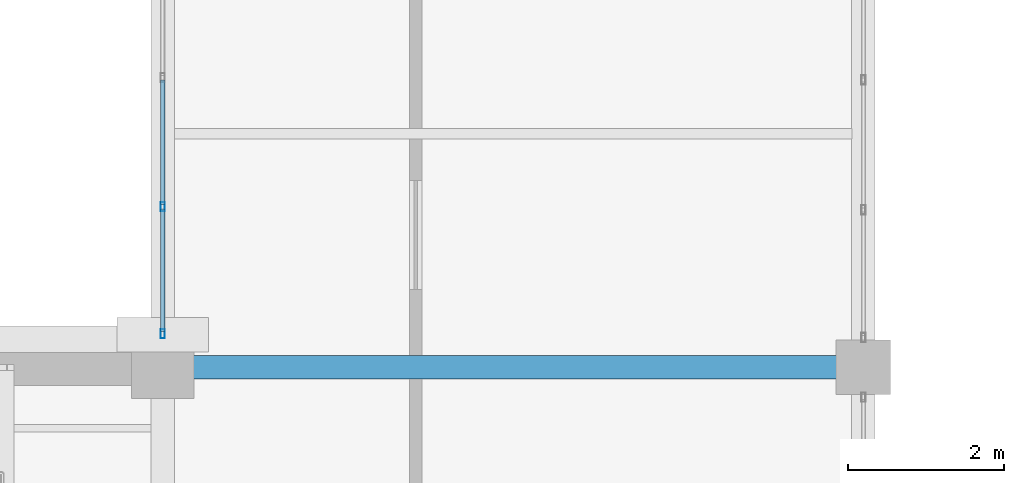
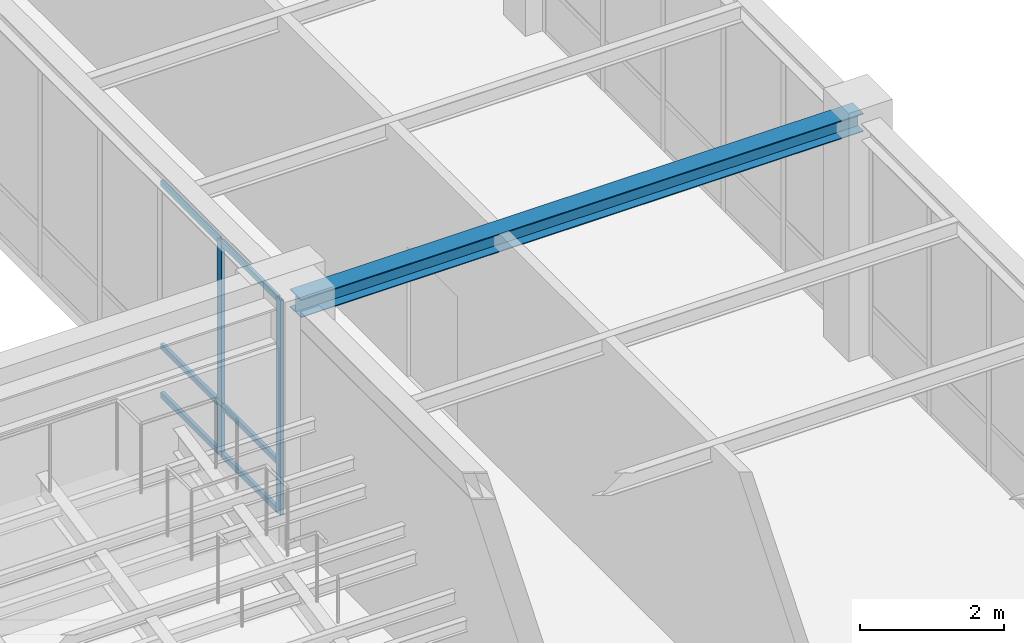
# One storey, part 27 of 130: 8 members, 1 beam, 1 element without a shape of its own.
"""IFC4 building model written with IfcOpenShell, lengths in metres."""

import ifcopenshell
import ifcopenshell.guid

model = None  # the IFC model being written
_history = None  # IfcOwnerHistory: only IFC2X3 demands one
_inside = {}  # id of a spatial element -> (the spatial element, [elements in it])
_under = {}  # id of a project, library or spatial element -> (it, [spatial elements below it])
_declared = {}  # id of a project -> (the project, [libraries it declares])
_typed = {}  # id of a type object -> (the type object, [elements of that type])
_made_of = {}  # id of a material, layer set ... -> (it, [elements and type objects made of it])


def new_model(schema):
    """Start an empty IFC model of exactly this schema.

    Asked for "IFC4X3", IfcOpenShell would pick the latest addendum, in which some entities
    have other attributes; the version numbers below select the first issue.
    IFC2X3 requires an IfcOwnerHistory on every rooted entity: one is made here for all.
    """
    global model, _history
    if schema == "IFC4X3":
        model = ifcopenshell.file(schema_version=(4, 3, 0, 0))
    else:
        model = ifcopenshell.file(schema=schema)
    _inside.clear()
    _under.clear()
    _declared.clear()
    _typed.clear()
    _made_of.clear()
    _history = None
    if model.schema == "IFC2X3":
        org = make("IfcOrganization", Name="unknown")
        user = make(
            "IfcPersonAndOrganization",
            ThePerson=make("IfcPerson", FamilyName="unknown"),
            TheOrganization=org,
        )
        app = make(
            "IfcApplication",
            ApplicationDeveloper=org,
            Version="unknown",
            ApplicationFullName="unknown",
            ApplicationIdentifier="unknown",
        )
        _history = make(
            "IfcOwnerHistory",
            OwningUser=user,
            OwningApplication=app,
            ChangeAction="ADDED",
            CreationDate=0,
        )
    return model


def make(cls, **values):
    """One entity of the class cls with the attributes given. An attribute that is None is left unset."""
    return model.create_entity(
        cls, **{name: value for name, value in values.items() if value is not None}
    )


def rooted(cls, **values):
    """An entity with a GlobalId (a new one), such as an element, a storey or a relation."""
    return make(cls, GlobalId=ifcopenshell.guid.new(), OwnerHistory=_history, **values)


def si_unit(unit_type, name, prefix=None):
    """IfcSIUnit, for example si_unit("LENGTHUNIT", "METRE", prefix="MILLI")."""
    return make("IfcSIUnit", UnitType=unit_type, Prefix=prefix, Name=name)


def assignment(units):
    """IfcUnitAssignment: the units of a project."""
    return None if units is None else make("IfcUnitAssignment", Units=units)


def point(xyz):
    """IfcCartesianPoint."""
    return None if xyz is None else make("IfcCartesianPoint", Coordinates=xyz)


def direction(xyz):
    """IfcDirection."""
    return None if xyz is None else make("IfcDirection", DirectionRatios=xyz)


def frame(location, z_axis=None, x_axis=None):
    """IfcAxis2Placement3D, a coordinate frame: its origin and axes. An axis left out is left unset."""
    return make(
        "IfcAxis2Placement3D",
        Location=point(location),
        Axis=direction(z_axis),
        RefDirection=direction(x_axis),
    )


def frame_2d(location, x_axis=None):
    """IfcAxis2Placement2D, a coordinate frame in the plane: its origin and x axis."""
    return make(
        "IfcAxis2Placement2D", Location=point(location), RefDirection=direction(x_axis)
    )


def origin():
    """The frame at (0, 0, 0) with its axes left unset."""
    return frame((0.0, 0.0, 0.0))


def origin_2d():
    """The frame at (0, 0) in the plane with its x axis left unset."""
    return frame_2d((0.0, 0.0))


def place(relative_to, where):
    """IfcLocalPlacement: puts the frame where relative to a parent placement (None: the world)."""
    return make(
        "IfcLocalPlacement", PlacementRelTo=relative_to, RelativePlacement=where
    )


def context(
    kind, dimensions, precision=None, world=None, true_north=None, identifier=None
):
    """IfcGeometricRepresentationContext, for example the 3D "Model" context."""
    return make(
        "IfcGeometricRepresentationContext",
        ContextIdentifier=identifier,
        ContextType=kind,
        CoordinateSpaceDimension=dimensions,
        Precision=precision,
        WorldCoordinateSystem=world,
        TrueNorth=true_north,
    )


def subcontext(parent, identifier, kind, view, scale=None):
    """IfcGeometricRepresentationSubContext, for example "Body" below "Model"."""
    return make(
        "IfcGeometricRepresentationSubContext",
        ContextIdentifier=identifier,
        ContextType=kind,
        ParentContext=parent,
        TargetScale=scale,
        TargetView=view,
    )


def project(units=None, contexts=None):
    """IfcProject with its units and contexts."""
    return rooted(
        "IfcProject",
        Name="project",
        RepresentationContexts=contexts,
        UnitsInContext=assignment(units),
    )


def spatial(cls, under=None, at=None, **own):
    """A site, building, storey or space (cls), placed at a placement, below another one or the project."""
    s = rooted(cls, ObjectPlacement=at, **own)
    if under is not None:
        _under.setdefault(under.id(), (under, []))[1].append(s)
    return s


def profile(cls, at=None, kind="AREA", **sizes):
    """A parametric profile (cls). Its sizes go by their IFC names, for example OverallWidth=200.0."""
    return make(cls, ProfileType=kind, Position=at, **sizes)


def hollow_rectangle(**sizes):
    """IfcRectangleHollowProfileDef."""
    return profile("IfcRectangleHollowProfileDef", **sizes)


def i_section(**sizes):
    """IfcIShapeProfileDef."""
    return profile("IfcIShapeProfileDef", **sizes)


def extrude(swept, where, along, depth):
    """IfcExtrudedAreaSolid: the profile swept, set in the frame where, extruded along a direction by depth."""
    return make(
        "IfcExtrudedAreaSolid",
        SweptArea=swept,
        Position=where,
        ExtrudedDirection=direction(along),
        Depth=depth,
    )


def shape(context_of_items, identifier, shape_type, items):
    """IfcShapeRepresentation: the items that make up one representation, for example the "Body"."""
    return make(
        "IfcShapeRepresentation",
        ContextOfItems=context_of_items,
        RepresentationIdentifier=identifier,
        RepresentationType=shape_type,
        Items=items,
    )


def material(Name=None, Category=None):
    """IfcMaterial."""
    return make("IfcMaterial", Name=Name, Category=Category)


def material_profile(
    of_material, cross_section, Name=None, Category=None, Priority=None
):
    """IfcMaterialProfile: a cross section and its material."""
    return make(
        "IfcMaterialProfile",
        Name=Name,
        Material=of_material,
        Profile=cross_section,
        Priority=Priority,
        Category=Category,
    )


def profile_set(profiles, Name=None, composite=None):
    """IfcMaterialProfileSet."""
    return make(
        "IfcMaterialProfileSet",
        Name=Name,
        MaterialProfiles=profiles,
        CompositeProfile=composite,
    )


def made_of(thing, what):
    """Note that an element or type object is made of a material, layer set ...; save() writes the relation."""
    if what is not None:
        _made_of.setdefault(what.id(), (what, []))[1].append(thing)
    return thing


def type_object(cls, material=None, **own):
    """A type object (cls), such as IfcWallType, which elements share."""
    return made_of(rooted(cls, **own), material)


def element(
    cls,
    number,
    at=None,
    inside=None,
    cuts=None,
    type_object=None,
    material=None,
    context=None,
    identifier="Body",
    shape_type=None,
    held_by="IfcProductDefinitionShape",
    body=None,
    shapes=None,
    **own,
):
    """One element of the class cls, such as IfcWall. Its Tag is "e" and its number.

    at: its placement. inside: the storey or other place that contains it. cuts: it is an
    opening in that element (IfcRelVoidsElement). A single representation is given by context,
    identifier, shape_type and body (its items); several are given by shapes. held_by: the class
    of the entity that holds the representations. save() writes the other relations.
    """
    e = rooted(cls, Tag="e%d" % number, ObjectPlacement=at, **own)
    if body is not None:
        shapes = [shape(context, identifier, shape_type, body)]
    if shapes is not None:
        e.Representation = make(held_by, Representations=shapes)
    if inside is not None:
        _inside.setdefault(inside.id(), (inside, []))[1].append(e)
    if cuts is not None:
        rooted(
            "IfcRelVoidsElement", RelatingBuildingElement=cuts, RelatedOpeningElement=e
        )
    if type_object is not None:
        _typed.setdefault(type_object.id(), (type_object, []))[1].append(e)
    return made_of(e, material)


def aggregate(whole, parts):
    """IfcRelAggregates: a whole, such as a stair, and the parts it consists of."""
    return rooted("IfcRelAggregates", RelatingObject=whole, RelatedObjects=parts)


def save(model, path):
    """Write the relations noted so far, then the file.

    IfcRelAggregates (storeys below a building ...), IfcRelContainedInSpatialStructure (elements
    in a storey), IfcRelDefinesByType, IfcRelAssociatesMaterial and IfcRelDeclares: one each for
    every whole, place, type object, material and project.
    """
    for whole, parts in _under.values():
        aggregate(whole, parts)
    for where, things in _inside.values():
        rooted(
            "IfcRelContainedInSpatialStructure",
            RelatedElements=things,
            RelatingStructure=where,
        )
    for kind, things in _typed.values():
        rooted("IfcRelDefinesByType", RelatedObjects=things, RelatingType=kind)
    for what, things in _made_of.values():
        rooted("IfcRelAssociatesMaterial", RelatedObjects=things, RelatingMaterial=what)
    for by, libraries in _declared.values():
        rooted("IfcRelDeclares", RelatingContext=by, RelatedDefinitions=libraries)
    model.write(path)


model = new_model("IFC4")

# Units and contexts
model_context = context("Model", 3, precision=1e-05, world=origin(), true_north=direction((0.0, 1.0)))
body_context = subcontext(model_context, "Body", "Model", "MODEL_VIEW")
ifc_project = project(units=[si_unit("LENGTHUNIT", "METRE"), si_unit("AREAUNIT", "SQUARE_METRE"), si_unit("VOLUMEUNIT", "CUBIC_METRE"), si_unit("PLANEANGLEUNIT", "RADIAN"), si_unit("MASSUNIT", "GRAM", prefix="KILO")], contexts=[model_context])

# Site, building, storey
site_placement = place(None, origin())
site = spatial("IfcSite", under=ifc_project, at=site_placement, CompositionType="ELEMENT")
building_placement = place(site_placement, origin())
building = spatial("IfcBuilding", under=site, at=building_placement, Name="Lykobir Media Centre", CompositionType="ELEMENT")
storey_placement = place(building_placement, frame((0.0, 0.0, 19.199951171875)))
storey = spatial("IfcBuildingStorey", under=building, at=storey_placement, Name="L04", CompositionType="ELEMENT", Elevation=19.199951171875)

# Curtain wall, members
ifc_material_1 = material(Name="Anodized Aluminium AW-6060", Category="aluminium")
curtain_wall_type = type_object("IfcCurtainWallType", Name="CW-COURT-B", PredefinedType="NOTDEFINED", material=ifc_material_1)
curtain_wall_placement = place(storey_placement, origin())
curtain_wall = element("IfcCurtainWall", 1, at=curtain_wall_placement, inside=storey, type_object=curtain_wall_type, Name="Curtain wall CW2-L04-0167", PredefinedType="NOTDEFINED")
ifc_material_profile_1 = material_profile(ifc_material_1, hollow_rectangle(XDim=0.054931640625, YDim=0.1201171875, WallThickness=0.003173828125, at=origin_2d()), Name="ALU MULLION 55x120")
ifc_profile_set_1 = profile_set([ifc_material_profile_1], Name="Anodized Aluminium AW-6060")
member_type_1 = type_object("IfcMemberType", Name="CWM-120", PredefinedType="MULLION", material=ifc_profile_set_1)
member_1_placement = place(storey_placement, frame((27.0, 45.4326171875, 0.0), z_axis=(0.0, 0.0, 1.0), x_axis=(-1.0, 0.0, 0.0)))
member_1 = element("IfcMember", 2, at=member_1_placement, type_object=member_type_1, Name="CW2-L04-0167 mullion 1", PredefinedType="MULLION", context=body_context, shape_type="SweptSolid", body=[
    extrude(hollow_rectangle(XDim=0.054931640625, YDim=0.1201171875, WallThickness=0.003173828125, at=origin_2d()), origin(), (0.0, 0.0, 1.0), 3.635009765625),
])
member_2_placement = place(storey_placement, frame((27.0, 47.06298828125, 0.0), z_axis=(0.0, 0.0, 1.0), x_axis=(-1.0, 0.0, 0.0)))
member_2 = element("IfcMember", 3, at=member_2_placement, type_object=member_type_1, Name="CW2-L04-0167 mullion 2", PredefinedType="MULLION", context=body_context, shape_type="SweptSolid", body=[
    extrude(hollow_rectangle(XDim=0.054931640625, YDim=0.1201171875, WallThickness=0.003173828125, at=origin_2d()), origin(), (0.0, 0.0, 1.0), 3.635009765625),
])
ifc_material_profile_2 = material_profile(ifc_material_1, hollow_rectangle(XDim=0.054931640625, YDim=0.094970703125, WallThickness=0.0029296875, at=origin_2d()), Name="ALU TRANSOM 55x95")
ifc_profile_set_2 = profile_set([ifc_material_profile_2], Name="Anodized Aluminium AW-6060")
member_type_2 = type_object("IfcMemberType", Name="CWT-095", PredefinedType="USERDEFINED", material=ifc_profile_set_2)
member_3_placement = place(storey_placement, frame((27.0, 45.4599609375, 0.027587890625), z_axis=(0.0, 1.0, 0.0), x_axis=(-1.0, 0.0, 0.0)))
member_3 = element("IfcMember", 4, at=member_3_placement, type_object=member_type_2, Name="CW2-L04-0167 transom 1.1", ObjectType="TRANSOM", PredefinedType="USERDEFINED", context=body_context, shape_type="SweptSolid", body=[
    extrude(hollow_rectangle(XDim=0.054931640625, YDim=0.094970703125, WallThickness=0.0029296875, at=origin_2d()), origin(), (0.0, 0.0, 1.0), 1.575439453125),
])
member_4_placement = place(storey_placement, frame((27.0, 45.4599609375, 0.85009765625), z_axis=(0.0, 1.0, 0.0), x_axis=(-1.0, 0.0, 0.0)))
member_4 = element("IfcMember", 5, at=member_4_placement, type_object=member_type_2, Name="CW2-L04-0167 transom 1.2", ObjectType="TRANSOM", PredefinedType="USERDEFINED", context=body_context, shape_type="SweptSolid", body=[
    extrude(hollow_rectangle(XDim=0.054931640625, YDim=0.094970703125, WallThickness=0.0029296875, at=origin_2d()), origin(), (0.0, 0.0, 1.0), 1.575439453125),
])
member_5_placement = place(storey_placement, frame((27.0, 45.4599609375, 3.607666015625), z_axis=(0.0, 1.0, 0.0), x_axis=(-1.0, 0.0, 0.0)))
member_5 = element("IfcMember", 6, at=member_5_placement, type_object=member_type_2, Name="CW2-L04-0167 transom 1.3", ObjectType="TRANSOM", PredefinedType="USERDEFINED", context=body_context, shape_type="SweptSolid", body=[
    extrude(hollow_rectangle(XDim=0.054931640625, YDim=0.094970703125, WallThickness=0.0029296875, at=origin_2d()), origin(), (0.0, 0.0, 1.0), 1.575439453125),
])
member_6_placement = place(storey_placement, frame((27.0, 47.090576171875, 0.027587890625), z_axis=(0.0, 1.0, 0.0), x_axis=(-1.0, 0.0, 0.0)))
member_6 = element("IfcMember", 7, at=member_6_placement, type_object=member_type_2, Name="CW2-L04-0167 transom 2.1", ObjectType="TRANSOM", PredefinedType="USERDEFINED", context=body_context, shape_type="SweptSolid", body=[
    extrude(hollow_rectangle(XDim=0.054931640625, YDim=0.094970703125, WallThickness=0.0029296875, at=origin_2d()), origin(), (0.0, 0.0, 1.0), 1.60302734375),
])
member_7_placement = place(storey_placement, frame((27.0, 47.090576171875, 0.85009765625), z_axis=(0.0, 1.0, 0.0), x_axis=(-1.0, 0.0, 0.0)))
member_7 = element("IfcMember", 8, at=member_7_placement, type_object=member_type_2, Name="CW2-L04-0167 transom 2.2", ObjectType="TRANSOM", PredefinedType="USERDEFINED", context=body_context, shape_type="SweptSolid", body=[
    extrude(hollow_rectangle(XDim=0.054931640625, YDim=0.094970703125, WallThickness=0.0029296875, at=origin_2d()), origin(), (0.0, 0.0, 1.0), 1.60302734375),
])
member_8_placement = place(storey_placement, frame((27.0, 47.090576171875, 3.607666015625), z_axis=(0.0, 1.0, 0.0), x_axis=(-1.0, 0.0, 0.0)))
member_8 = element("IfcMember", 9, at=member_8_placement, type_object=member_type_2, Name="CW2-L04-0167 transom 2.3", ObjectType="TRANSOM", PredefinedType="USERDEFINED", context=body_context, shape_type="SweptSolid", body=[
    extrude(hollow_rectangle(XDim=0.054931640625, YDim=0.094970703125, WallThickness=0.0029296875, at=origin_2d()), origin(), (0.0, 0.0, 1.0), 1.60302734375),
])
aggregate(curtain_wall, [member_1, member_2, member_3, member_4, member_5, member_6, member_7, member_8])

# Beam
ifc_material_2 = material(Name="Steel S355", Category="steel")
ifc_material_profile_3 = material_profile(ifc_material_2, i_section(OverallWidth=0.300048828125, OverallDepth=0.31005859375, WebThickness=0.009033203125, FlangeThickness=0.015380859375, at=origin_2d()), Name="HEA 320")
ifc_profile_set_3 = profile_set([ifc_material_profile_3], Name="Steel S355")
beam_type = type_object("IfcBeamType", Name="SP-HEA320", PredefinedType="SPANDREL", material=ifc_profile_set_3)
beam_placement = place(storey_placement, frame((27.0, 45.0, 3.804931640625), z_axis=(1.0, 0.0, 0.0), x_axis=(0.0, 1.0, 0.0)))
element("IfcBeam", 10, at=beam_placement, inside=storey, type_object=beam_type, Name="Beam BM-L04-0270-0450-0360-0450-2300", PredefinedType="SPANDREL", context=body_context, shape_type="SweptSolid", body=[
    extrude(i_section(OverallWidth=0.300048828125, OverallDepth=0.31005859375, WebThickness=0.009033203125, FlangeThickness=0.015380859375, at=origin_2d()), origin(), (0.0, 0.0, 1.0), 9.0),
])

save(model, "model.ifc")
